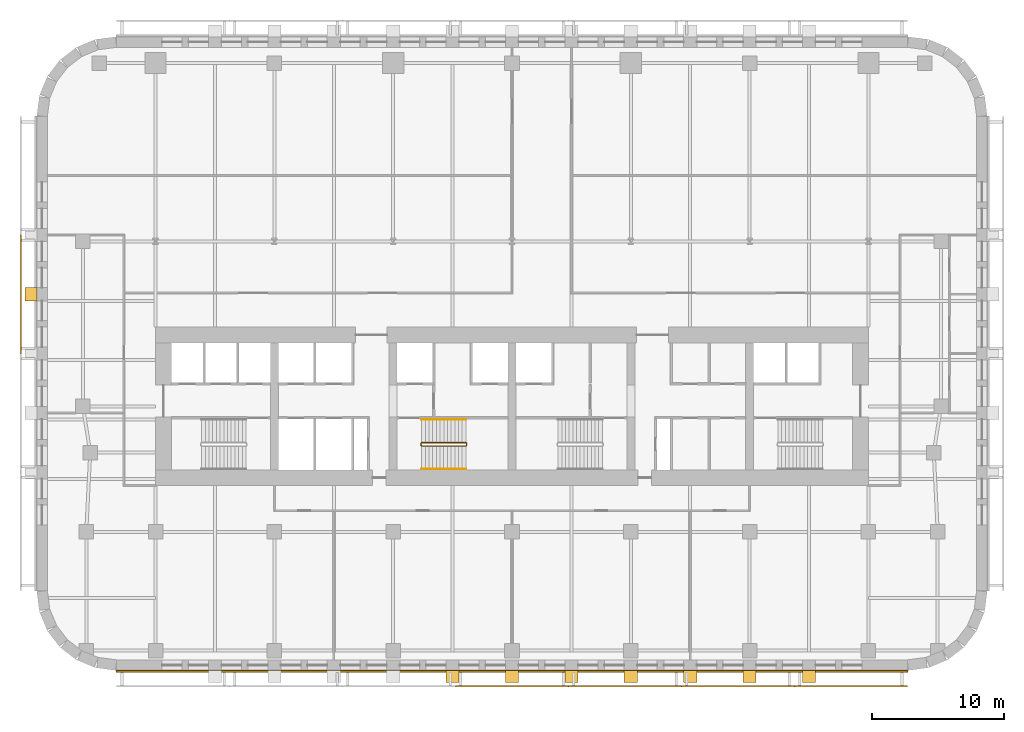
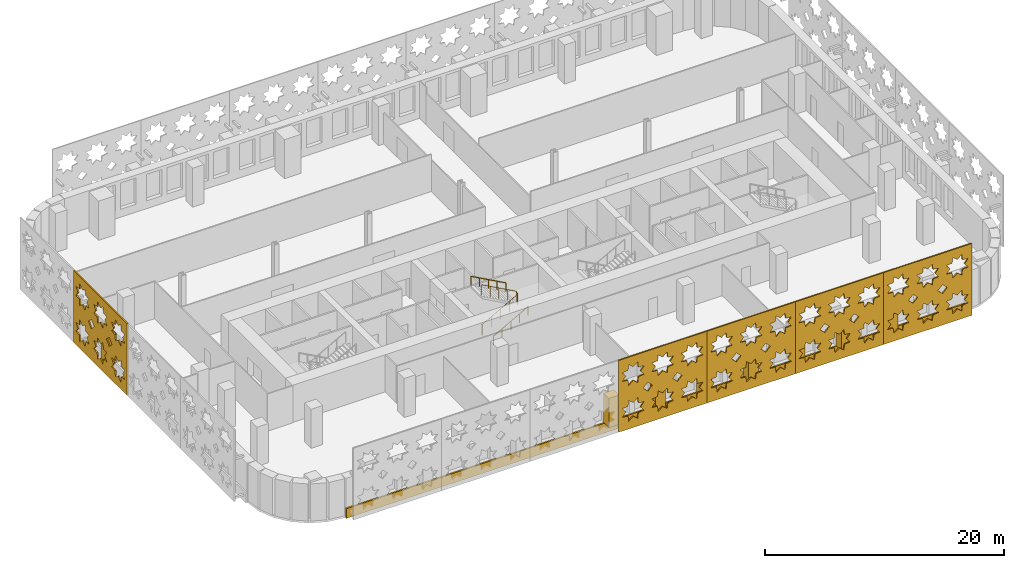
# One storey, part 12 of 15: 14 coverings, 3 railings.
"""IFC4 building model written with IfcOpenShell, lengths in metres."""

from ifc_helpers import new_model, si_unit, direction, frame, origin, origin_2d, place, context, subcontext, project, spatial, polyline, circle, outline, extrude, material, layer, layer_set, type_object, element, save


model = new_model("IFC4")

# Units and contexts
model_context = context("Model", 3, precision=1e-05, world=origin(), true_north=direction((0.0, 1.0)))
body_context = subcontext(model_context, "Body", "Model", "MODEL_VIEW")
ifc_project = project(units=[si_unit("LENGTHUNIT", "METRE"), si_unit("AREAUNIT", "SQUARE_METRE"), si_unit("VOLUMEUNIT", "CUBIC_METRE"), si_unit("PLANEANGLEUNIT", "RADIAN"), si_unit("MASSUNIT", "GRAM", prefix="KILO")], contexts=[model_context])

# Site, building, storey
site_placement = place(None, origin())
site = spatial("IfcSite", under=ifc_project, at=site_placement, CompositionType="ELEMENT")
building_placement = place(site_placement, origin())
building = spatial("IfcBuilding", under=site, at=building_placement, Name="Zellij Exchange Tower", CompositionType="ELEMENT")
storey_placement = place(building_placement, frame((0.0, 0.0, 84.5)))
storey = spatial("IfcBuildingStorey", under=building, at=storey_placement, Name="L17", CompositionType="ELEMENT", Elevation=84.5)

# Railings
ifc_material_1 = material(Name="Stainless steel", Category="steel")
railing_type_1 = type_object("IfcRailingType", Name="CORE-RG stair guard", PredefinedType="GUARDRAIL", material=ifc_material_1)
railing_1_placement = place(storey_placement, frame((-6.89990234375, -10.949951171875, 0.0)))
element("IfcRailing", 1, at=railing_1_placement, inside=storey, type_object=railing_type_1, Name="ST2 stair guard L17", PredefinedType="GUARDRAIL", context=body_context, shape_type="SweptSolid", body=[
    extrude(circle(Radius=0.02392578125, at=origin_2d()), frame((0.0, 0.0, 1.076171875), z_axis=(0.0, 1.0, 0.0), x_axis=(-1.0, 0.0, 0.0)), (0.0, 0.0, 1.0), 0.14990234375),
    extrude(circle(Radius=0.02392578125, at=origin_2d()), frame((0.0, 0.14990234375, 1.076171875), z_axis=(0.193691321961, -0.777613689637, 0.598164376644), x_axis=(0.970351222016, 0.241699205484, 0.0)), (0.0, 0.0, 1.0), 0.257080078125),
    extrude(circle(Radius=0.02392578125, at=origin_2d()), frame((0.0498046875, -0.050048828125, 1.22998046875), z_axis=(0.876421534553, 0.0, 0.481544695509), x_axis=(0.0, 1.0, 0.0)), (0.0, 0.0, 1.0), 3.833984375),
    extrude(circle(Radius=0.02392578125, at=origin_2d()), frame((3.409912109375, -0.050048828125, 3.076171875), z_axis=(0.707106781187, 0.707106781187, 0.0), x_axis=(-0.707106781187, 0.707106781187, 0.0)), (0.0, 0.0, 1.0), 0.07080078125),
    extrude(circle(Radius=0.02392578125, at=origin_2d()), frame((3.4599609375, 0.0, 3.076171875), z_axis=(0.0, 1.0, 0.0), x_axis=(-1.0, 0.0, 0.0)), (0.0, 0.0, 1.0), 0.14990234375),
    extrude(circle(Radius=0.02392578125, at=origin_2d()), frame((3.4599609375, 0.14990234375, 3.076171875), z_axis=(-0.295599637079, 0.295599637079, 0.908428152975), x_axis=(-0.707106781187, -0.707106781187, 0.0)), (0.0, 0.0, 1.0), 0.16943359375),
    extrude(circle(Radius=0.02392578125, at=origin_2d()), frame((3.409912109375, 0.199951171875, 3.22998046875), z_axis=(-0.876421534553, 0.0, 0.481544695509), x_axis=(0.0, -1.0, 0.0)), (0.0, 0.0, 1.0), 3.833984375),
    extrude(circle(Radius=0.02099609375, at=origin_2d()), origin(), (0.0, 0.0, 1.0), 1.052001953125),
    extrude(circle(Radius=0.02099609375, at=origin_2d()), frame((0.0, 0.14990234375, 0.0)), (0.0, 0.0, 1.0), 1.052001953125),
    extrude(circle(Radius=0.02099609375, at=origin_2d()), frame((0.0498046875, -0.050048828125, 0.15380859375)), (0.0, 0.0, 1.0), 1.052001953125),
    extrude(circle(Radius=0.02099609375, at=origin_2d()), frame((0.889892578125, -0.050048828125, 0.615234375)), (0.0, 0.0, 1.0), 1.052001953125),
    extrude(circle(Radius=0.02099609375, at=origin_2d()), frame((1.72998046875, -0.050048828125, 1.076904296875)), (0.0, 0.0, 1.0), 1.052001953125),
    extrude(circle(Radius=0.02099609375, at=origin_2d()), frame((2.56982421875, -0.050048828125, 1.53857421875)), (0.0, 0.0, 1.0), 1.052001953125),
    extrude(circle(Radius=0.02099609375, at=origin_2d()), frame((3.409912109375, -0.050048828125, 2.0)), (0.0, 0.0, 1.0), 1.052001953125),
    extrude(circle(Radius=0.02099609375, at=origin_2d()), frame((3.4599609375, 0.0, 2.0)), (0.0, 0.0, 1.0), 1.052001953125),
    extrude(circle(Radius=0.02099609375, at=origin_2d()), frame((3.4599609375, 0.14990234375, 2.0)), (0.0, 0.0, 1.0), 1.052001953125),
    extrude(circle(Radius=0.02099609375, at=origin_2d()), frame((3.409912109375, 0.199951171875, 2.15380859375)), (0.0, 0.0, 1.0), 1.052001953125),
    extrude(circle(Radius=0.02099609375, at=origin_2d()), frame((2.56982421875, 0.199951171875, 2.615234375)), (0.0, 0.0, 1.0), 1.052001953125),
    extrude(circle(Radius=0.02099609375, at=origin_2d()), frame((1.72998046875, 0.199951171875, 3.076904296875)), (0.0, 0.0, 1.0), 1.052001953125),
    extrude(circle(Radius=0.02099609375, at=origin_2d()), frame((0.889892578125, 0.199951171875, 3.53857421875)), (0.0, 0.0, 1.0), 1.052001953125),
    extrude(circle(Radius=0.02099609375, at=origin_2d()), frame((0.0498046875, 0.199951171875, 4.0)), (0.0, 0.0, 1.0), 1.052001953125),
])
railing_type_2 = type_object("IfcRailingType", Name="CORE-RH stair handrail", PredefinedType="HANDRAIL", material=ifc_material_1)
railing_2_placement = place(storey_placement, frame((-6.85009765625, -12.75, 0.15380859375)))
element("IfcRailing", 2, at=railing_2_placement, inside=storey, type_object=railing_type_2, Name="ST2 stair handrail L17", PredefinedType="HANDRAIL", context=body_context, shape_type="SweptSolid", body=[
    extrude(circle(Radius=0.02392578125, at=origin_2d()), frame((0.0, 0.0, 0.8759765625), z_axis=(0.876421534553, 0.0, 0.481544695509), x_axis=(0.0, 1.0, 0.0)), (0.0, 0.0, 1.0), 3.833984375),
    extrude(circle(Radius=0.02099609375, at=origin_2d()), origin(), (0.0, 0.0, 1.0), 0.851806640625),
    extrude(circle(Radius=0.02099609375, at=origin_2d()), frame((0.840087890625, 0.0, 0.46142578125)), (0.0, 0.0, 1.0), 0.851806640625),
    extrude(circle(Radius=0.02099609375, at=origin_2d()), frame((1.68017578125, 0.0, 0.923095703125)), (0.0, 0.0, 1.0), 0.851806640625),
    extrude(circle(Radius=0.02099609375, at=origin_2d()), frame((2.52001953125, 0.0, 1.384765625)), (0.0, 0.0, 1.0), 0.851806640625),
    extrude(circle(Radius=0.02099609375, at=origin_2d()), frame((3.360107421875, 0.0, 1.84619140625)), (0.0, 0.0, 1.0), 0.851806640625),
])
railing_3_placement = place(storey_placement, frame((-3.489990234375, -9.0, 2.15380859375)))
element("IfcRailing", 3, at=railing_3_placement, inside=storey, type_object=railing_type_2, Name="ST2 stair handrail L17", PredefinedType="HANDRAIL", context=body_context, shape_type="SweptSolid", body=[
    extrude(circle(Radius=0.02392578125, at=origin_2d()), frame((0.0, 0.0, 0.8759765625), z_axis=(-0.876421534553, 0.0, 0.481544695509), x_axis=(0.0, -1.0, 0.0)), (0.0, 0.0, 1.0), 3.833984375),
    extrude(circle(Radius=0.02099609375, at=origin_2d()), origin(), (0.0, 0.0, 1.0), 0.851806640625),
    extrude(circle(Radius=0.02099609375, at=origin_2d()), frame((-0.840087890625, 0.0, 0.46142578125)), (0.0, 0.0, 1.0), 0.851806640625),
    extrude(circle(Radius=0.02099609375, at=origin_2d()), frame((-1.68017578125, 0.0, 0.923095703125)), (0.0, 0.0, 1.0), 0.851806640625),
    extrude(circle(Radius=0.02099609375, at=origin_2d()), frame((-2.52001953125, 0.0, 1.384765625)), (0.0, 0.0, 1.0), 0.851806640625),
    extrude(circle(Radius=0.02099609375, at=origin_2d()), frame((-3.360107421875, 0.0, 1.84619140625)), (0.0, 0.0, 1.0), 0.851806640625),
])

# Coverings
ifc_material_2 = material(Name="Limestone cladding", Category="masonry")
ifc_layer_1 = layer(ifc_material_2, 0.14990234375)
ifc_layer_set_1 = layer_set([ifc_layer_1], Name="Limestone cladding")
covering_type_1 = type_object("IfcCoveringType", Name="ENV-CV1 Stone spandrel band 150", PredefinedType="CLADDING", material=ifc_layer_set_1)
covering_1_placement = place(storey_placement, frame((0.0, 0.0, -0.199951171875)))
element("IfcCovering", 4, at=covering_1_placement, inside=storey, type_object=covering_type_1, Name="Stone spandrel band", PredefinedType="CLADDING", context=body_context, shape_type="SweptSolid", body=[
    extrude(outline(polyline([(-29.973876953125, -28.0), (29.973876953125, -28.0), (29.983642578125, -28.14990234375), (-29.983642578125, -28.14990234375), (-29.973876953125, -28.0)])), origin(), (0.0, 0.0, 1.0), 1.0),
])
covering_type_2 = type_object("IfcCoveringType", Name="ENV-CV2 Stone pier 1000x900", PredefinedType="CLADDING", material=ifc_material_2)
covering_2_placement = place(storey_placement, frame((0.0, 0.0, 0.800048828125)))
element("IfcCovering", 5, at=covering_2_placement, inside=storey, type_object=covering_type_2, Name="Stone pier", PredefinedType="CLADDING", context=body_context, shape_type="SweptSolid", body=[
    extrude(outline(polyline([(-5.0, -28.0), (-4.0, -28.0), (-4.0, -28.89990234375), (-5.0, -28.89990234375), (-5.0, -28.0)])), origin(), (0.0, 0.0, 1.0), 3.0),
])
covering_3_placement = place(storey_placement, frame((0.0, 0.0, 0.800048828125)))
element("IfcCovering", 6, at=covering_3_placement, inside=storey, type_object=covering_type_2, Name="Stone pier", PredefinedType="CLADDING", context=body_context, shape_type="SweptSolid", body=[
    extrude(outline(polyline([(-0.5, -28.0), (0.5, -28.0), (0.5, -28.89990234375), (-0.5, -28.89990234375), (-0.5, -28.0)])), origin(), (0.0, 0.0, 1.0), 3.0),
])
covering_4_placement = place(storey_placement, frame((0.0, 0.0, 0.800048828125)))
element("IfcCovering", 7, at=covering_4_placement, inside=storey, type_object=covering_type_2, Name="Stone pier", PredefinedType="CLADDING", context=body_context, shape_type="SweptSolid", body=[
    extrude(outline(polyline([(4.0, -28.0), (5.0, -28.0), (5.0, -28.89990234375), (4.0, -28.89990234375), (4.0, -28.0)])), origin(), (0.0, 0.0, 1.0), 3.0),
])
covering_5_placement = place(storey_placement, frame((0.0, 0.0, 0.800048828125)))
element("IfcCovering", 8, at=covering_5_placement, inside=storey, type_object=covering_type_2, Name="Stone pier", PredefinedType="CLADDING", context=body_context, shape_type="SweptSolid", body=[
    extrude(outline(polyline([(8.5, -28.0), (9.5, -28.0), (9.5, -28.89990234375), (8.5, -28.89990234375), (8.5, -28.0)])), origin(), (0.0, 0.0, 1.0), 3.0),
])
covering_6_placement = place(storey_placement, frame((0.0, 0.0, 0.800048828125)))
element("IfcCovering", 9, at=covering_6_placement, inside=storey, type_object=covering_type_2, Name="Stone pier", PredefinedType="CLADDING", context=body_context, shape_type="SweptSolid", body=[
    extrude(outline(polyline([(13.0, -28.0), (14.0, -28.0), (14.0, -28.89990234375), (13.0, -28.89990234375), (13.0, -28.0)])), origin(), (0.0, 0.0, 1.0), 3.0),
])
covering_7_placement = place(storey_placement, frame((0.0, 0.0, 0.800048828125)))
element("IfcCovering", 10, at=covering_7_placement, inside=storey, type_object=covering_type_2, Name="Stone pier", PredefinedType="CLADDING", context=body_context, shape_type="SweptSolid", body=[
    extrude(outline(polyline([(17.5, -28.0), (18.5, -28.0), (18.5, -28.89990234375), (17.5, -28.89990234375), (17.5, -28.0)])), origin(), (0.0, 0.0, 1.0), 3.0),
])
covering_8_placement = place(storey_placement, frame((0.0, 0.0, 0.800048828125)))
element("IfcCovering", 11, at=covering_8_placement, inside=storey, type_object=covering_type_2, Name="Stone pier", PredefinedType="CLADDING", context=body_context, shape_type="SweptSolid", body=[
    extrude(outline(polyline([(22.0, -28.0), (23.0, -28.0), (23.0, -28.89990234375), (22.0, -28.89990234375), (22.0, -28.0)])), origin(), (0.0, 0.0, 1.0), 3.0),
])
covering_9_placement = place(storey_placement, frame((0.0, 0.0, 0.800048828125)))
element("IfcCovering", 12, at=covering_9_placement, inside=storey, type_object=covering_type_2, Name="Stone pier", PredefinedType="CLADDING", context=body_context, shape_type="SweptSolid", body=[
    extrude(outline(polyline([(-36.0, 0.993408203125), (-36.0, -0.006591796875), (-36.89990234375, -0.006591796875), (-36.89990234375, 0.993408203125), (-36.0, 0.993408203125)])), origin(), (0.0, 0.0, 1.0), 3.0),
])
ifc_material_3 = material(Name="Limestone screen", Category="masonry")
ifc_layer_2 = layer(ifc_material_3, 0.1201171875)
ifc_layer_set_2 = layer_set([ifc_layer_2], Name="Limestone screen")
covering_type_3 = type_object("IfcCoveringType", Name="ENV-SC1 Pierced stone screen 120", PredefinedType="USERDEFINED", material=ifc_layer_set_2)
covering_10_placement = place(storey_placement, frame((-37.2099609375, 4.973876953125, 0.300048828125), z_axis=(0.0, 0.0, 1.0), x_axis=(0.0, -1.0, 0.0)))
element("IfcCovering", 13, at=covering_10_placement, inside=storey, type_object=covering_type_3, Name="Pierced stone screen", ObjectType="SCREEN", PredefinedType="USERDEFINED", context=body_context, shape_type="SweptSolid", body=[
    extrude(outline(polyline([(0.0, 0.0), (8.973876953125, 0.0), (8.973876953125, 7.35009765625), (0.0, 7.35009765625), (0.0, 0.0)]), holes=[polyline([(2.60107421875, 2.29541015625), (2.020263671875, 2.362060546875), (1.95361328125, 2.94287109375), (1.49560546875, 2.579345703125), (1.03759765625, 2.94287109375), (0.97119140625, 2.362060546875), (0.39013671875, 2.29541015625), (0.75390625, 1.83740234375), (0.39013671875, 1.379638671875), (0.97119140625, 1.31298828125), (1.03759765625, 0.732177734375), (1.49560546875, 1.095703125), (1.95361328125, 0.732177734375), (2.020263671875, 1.31298828125), (2.60107421875, 1.379638671875), (2.237548828125, 1.83740234375), (2.60107421875, 2.29541015625)]), polyline([(2.60107421875, 5.970458984375), (2.020263671875, 6.037109375), (1.95361328125, 6.617919921875), (1.49560546875, 6.25439453125), (1.03759765625, 6.617919921875), (0.97119140625, 6.037109375), (0.39013671875, 5.970458984375), (0.75390625, 5.512451171875), (0.39013671875, 5.0546875), (0.97119140625, 4.98779296875), (1.03759765625, 4.406982421875), (1.49560546875, 4.770751953125), (1.95361328125, 4.406982421875), (2.020263671875, 4.98779296875), (2.60107421875, 5.0546875), (2.237548828125, 5.512451171875), (2.60107421875, 5.970458984375)]), polyline([(5.59228515625, 2.29541015625), (5.011474609375, 2.362060546875), (4.94482421875, 2.94287109375), (4.48681640625, 2.579345703125), (4.029052734375, 2.94287109375), (3.96240234375, 2.362060546875), (3.381591796875, 2.29541015625), (3.7451171875, 1.83740234375), (3.381591796875, 1.379638671875), (3.96240234375, 1.31298828125), (4.029052734375, 0.732177734375), (4.48681640625, 1.095703125), (4.94482421875, 0.732177734375), (5.011474609375, 1.31298828125), (5.59228515625, 1.379638671875), (5.228759765625, 1.83740234375), (5.59228515625, 2.29541015625)]), polyline([(5.59228515625, 5.970458984375), (5.011474609375, 6.037109375), (4.94482421875, 6.617919921875), (4.48681640625, 6.25439453125), (4.029052734375, 6.617919921875), (3.96240234375, 6.037109375), (3.381591796875, 5.970458984375), (3.7451171875, 5.512451171875), (3.381591796875, 5.0546875), (3.96240234375, 4.98779296875), (4.029052734375, 4.406982421875), (4.48681640625, 4.770751953125), (4.94482421875, 4.406982421875), (5.011474609375, 4.98779296875), (5.59228515625, 5.0546875), (5.228759765625, 5.512451171875), (5.59228515625, 5.970458984375)]), polyline([(8.58349609375, 2.29541015625), (8.002685546875, 2.362060546875), (7.93603515625, 2.94287109375), (7.478271484375, 2.579345703125), (7.020263671875, 2.94287109375), (6.95361328125, 2.362060546875), (6.372802734375, 2.29541015625), (6.736328125, 1.83740234375), (6.372802734375, 1.379638671875), (6.95361328125, 1.31298828125), (7.020263671875, 0.732177734375), (7.478271484375, 1.095703125), (7.93603515625, 0.732177734375), (8.002685546875, 1.31298828125), (8.58349609375, 1.379638671875), (8.219970703125, 1.83740234375), (8.58349609375, 2.29541015625)]), polyline([(8.58349609375, 5.970458984375), (8.002685546875, 6.037109375), (7.93603515625, 6.617919921875), (7.478271484375, 6.25439453125), (7.020263671875, 6.617919921875), (6.95361328125, 6.037109375), (6.372802734375, 5.970458984375), (6.736328125, 5.512451171875), (6.372802734375, 5.0546875), (6.95361328125, 4.98779296875), (7.020263671875, 4.406982421875), (7.478271484375, 4.770751953125), (7.93603515625, 4.406982421875), (8.002685546875, 4.98779296875), (8.58349609375, 5.0546875), (8.219970703125, 5.512451171875), (8.58349609375, 5.970458984375)]), polyline([(3.469970703125, 3.675048828125), (2.9912109375, 4.153564453125), (2.5126953125, 3.675048828125), (2.9912109375, 3.1962890625), (3.469970703125, 3.675048828125)]), polyline([(6.461181640625, 3.675048828125), (5.982421875, 4.153564453125), (5.50390625, 3.675048828125), (5.982421875, 3.1962890625), (6.461181640625, 3.675048828125)])]), frame((0.0, 0.06005859375, 0.0), z_axis=(0.0, -1.0, 0.0), x_axis=(1.0, 0.0, 0.0)), (0.0, 0.0, 1.0), 0.1201171875),
])
covering_11_placement = place(storey_placement, frame((-4.2783203125, -29.2099609375, 0.300048828125), z_axis=(0.0, 0.0, 1.0), x_axis=(1.0, 0.0, 0.0)))
element("IfcCovering", 14, at=covering_11_placement, inside=storey, type_object=covering_type_3, Name="Pierced stone screen", ObjectType="SCREEN", PredefinedType="USERDEFINED", context=body_context, shape_type="SweptSolid", body=[
    extrude(outline(polyline([(0.0, 0.0), (8.556396484375, 0.0), (8.556396484375, 7.35009765625), (0.0, 7.35009765625), (0.0, 0.0)]), holes=[polyline([(2.47998046875, 2.274169921875), (1.92626953125, 2.337646484375), (1.86279296875, 2.8916015625), (1.426025390625, 2.544921875), (0.989501953125, 2.8916015625), (0.92578125, 2.337646484375), (0.3720703125, 2.274169921875), (0.71875, 1.83740234375), (0.3720703125, 1.40087890625), (0.92578125, 1.33740234375), (0.989501953125, 0.783447265625), (1.426025390625, 1.130126953125), (1.86279296875, 0.783447265625), (1.92626953125, 1.33740234375), (2.47998046875, 1.40087890625), (2.13330078125, 1.83740234375), (2.47998046875, 2.274169921875)]), polyline([(2.47998046875, 5.94921875), (1.92626953125, 6.0126953125), (1.86279296875, 6.56640625), (1.426025390625, 6.2197265625), (0.989501953125, 6.56640625), (0.92578125, 6.0126953125), (0.3720703125, 5.94921875), (0.71875, 5.512451171875), (0.3720703125, 5.075927734375), (0.92578125, 5.01220703125), (0.989501953125, 4.45849609375), (1.426025390625, 4.80517578125), (1.86279296875, 4.45849609375), (1.92626953125, 5.01220703125), (2.47998046875, 5.075927734375), (2.13330078125, 5.512451171875), (2.47998046875, 5.94921875)]), polyline([(5.332275390625, 2.274169921875), (4.7783203125, 2.337646484375), (4.71484375, 2.8916015625), (4.2783203125, 2.544921875), (3.841552734375, 2.8916015625), (3.778076171875, 2.337646484375), (3.22412109375, 2.274169921875), (3.57080078125, 1.83740234375), (3.22412109375, 1.40087890625), (3.778076171875, 1.33740234375), (3.841552734375, 0.783447265625), (4.2783203125, 1.130126953125), (4.71484375, 0.783447265625), (4.7783203125, 1.33740234375), (5.332275390625, 1.40087890625), (4.985595703125, 1.83740234375), (5.332275390625, 2.274169921875)]), polyline([(5.332275390625, 5.94921875), (4.7783203125, 6.0126953125), (4.71484375, 6.56640625), (4.2783203125, 6.2197265625), (3.841552734375, 6.56640625), (3.778076171875, 6.0126953125), (3.22412109375, 5.94921875), (3.57080078125, 5.512451171875), (3.22412109375, 5.075927734375), (3.778076171875, 5.01220703125), (3.841552734375, 4.45849609375), (4.2783203125, 4.80517578125), (4.71484375, 4.45849609375), (4.7783203125, 5.01220703125), (5.332275390625, 5.075927734375), (4.985595703125, 5.512451171875), (5.332275390625, 5.94921875)]), polyline([(8.184326171875, 2.274169921875), (7.630615234375, 2.337646484375), (7.56689453125, 2.8916015625), (7.13037109375, 2.544921875), (6.69384765625, 2.8916015625), (6.630126953125, 2.337646484375), (6.076416015625, 2.274169921875), (6.423095703125, 1.83740234375), (6.076416015625, 1.40087890625), (6.630126953125, 1.33740234375), (6.69384765625, 0.783447265625), (7.13037109375, 1.130126953125), (7.56689453125, 0.783447265625), (7.630615234375, 1.33740234375), (8.184326171875, 1.40087890625), (7.837646484375, 1.83740234375), (8.184326171875, 2.274169921875)]), polyline([(8.184326171875, 5.94921875), (7.630615234375, 6.0126953125), (7.56689453125, 6.56640625), (7.13037109375, 6.2197265625), (6.69384765625, 6.56640625), (6.630126953125, 6.0126953125), (6.076416015625, 5.94921875), (6.423095703125, 5.512451171875), (6.076416015625, 5.075927734375), (6.630126953125, 5.01220703125), (6.69384765625, 4.45849609375), (7.13037109375, 4.80517578125), (7.56689453125, 4.45849609375), (7.630615234375, 5.01220703125), (8.184326171875, 5.075927734375), (7.837646484375, 5.512451171875), (8.184326171875, 5.94921875)]), polyline([(3.30859375, 3.675048828125), (2.852294921875, 4.13134765625), (2.395751953125, 3.675048828125), (2.852294921875, 3.21875), (3.30859375, 3.675048828125)]), polyline([(6.16064453125, 3.675048828125), (5.704345703125, 4.13134765625), (5.248046875, 3.675048828125), (5.704345703125, 3.21875), (6.16064453125, 3.675048828125)])]), frame((0.0, 0.06005859375, 0.0), z_axis=(0.0, -1.0, 0.0), x_axis=(1.0, 0.0, 0.0)), (0.0, 0.0, 1.0), 0.1201171875),
])
covering_12_placement = place(storey_placement, frame((4.2783203125, -29.2099609375, 0.300048828125), z_axis=(0.0, 0.0, 1.0), x_axis=(1.0, 0.0, 0.0)))
element("IfcCovering", 15, at=covering_12_placement, inside=storey, type_object=covering_type_3, Name="Pierced stone screen", ObjectType="SCREEN", PredefinedType="USERDEFINED", context=body_context, shape_type="SweptSolid", body=[
    extrude(outline(polyline([(0.0, 0.0), (8.556396484375, 0.0), (8.556396484375, 7.35009765625), (0.0, 7.35009765625), (0.0, 0.0)]), holes=[polyline([(2.47998046875, 2.274169921875), (1.92626953125, 2.337646484375), (1.86279296875, 2.8916015625), (1.426025390625, 2.544921875), (0.989501953125, 2.8916015625), (0.92578125, 2.337646484375), (0.3720703125, 2.274169921875), (0.71875, 1.83740234375), (0.3720703125, 1.40087890625), (0.92578125, 1.33740234375), (0.989501953125, 0.783447265625), (1.426025390625, 1.130126953125), (1.86279296875, 0.783447265625), (1.92626953125, 1.33740234375), (2.47998046875, 1.40087890625), (2.13330078125, 1.83740234375), (2.47998046875, 2.274169921875)]), polyline([(2.47998046875, 5.94921875), (1.92626953125, 6.0126953125), (1.86279296875, 6.56640625), (1.426025390625, 6.2197265625), (0.989501953125, 6.56640625), (0.92578125, 6.0126953125), (0.3720703125, 5.94921875), (0.71875, 5.512451171875), (0.3720703125, 5.075927734375), (0.92578125, 5.01220703125), (0.989501953125, 4.45849609375), (1.426025390625, 4.80517578125), (1.86279296875, 4.45849609375), (1.92626953125, 5.01220703125), (2.47998046875, 5.075927734375), (2.13330078125, 5.512451171875), (2.47998046875, 5.94921875)]), polyline([(5.332275390625, 2.274169921875), (4.7783203125, 2.337646484375), (4.71484375, 2.8916015625), (4.2783203125, 2.544921875), (3.841552734375, 2.8916015625), (3.778076171875, 2.337646484375), (3.22412109375, 2.274169921875), (3.57080078125, 1.83740234375), (3.22412109375, 1.40087890625), (3.778076171875, 1.33740234375), (3.841552734375, 0.783447265625), (4.2783203125, 1.130126953125), (4.71484375, 0.783447265625), (4.7783203125, 1.33740234375), (5.332275390625, 1.40087890625), (4.985595703125, 1.83740234375), (5.332275390625, 2.274169921875)]), polyline([(5.332275390625, 5.94921875), (4.7783203125, 6.0126953125), (4.71484375, 6.56640625), (4.2783203125, 6.2197265625), (3.841552734375, 6.56640625), (3.778076171875, 6.0126953125), (3.22412109375, 5.94921875), (3.57080078125, 5.512451171875), (3.22412109375, 5.075927734375), (3.778076171875, 5.01220703125), (3.841552734375, 4.45849609375), (4.2783203125, 4.80517578125), (4.71484375, 4.45849609375), (4.7783203125, 5.01220703125), (5.332275390625, 5.075927734375), (4.985595703125, 5.512451171875), (5.332275390625, 5.94921875)]), polyline([(8.184326171875, 2.274169921875), (7.630615234375, 2.337646484375), (7.56689453125, 2.8916015625), (7.13037109375, 2.544921875), (6.69384765625, 2.8916015625), (6.630126953125, 2.337646484375), (6.076416015625, 2.274169921875), (6.423095703125, 1.83740234375), (6.076416015625, 1.40087890625), (6.630126953125, 1.33740234375), (6.69384765625, 0.783447265625), (7.13037109375, 1.130126953125), (7.56689453125, 0.783447265625), (7.630615234375, 1.33740234375), (8.184326171875, 1.40087890625), (7.837646484375, 1.83740234375), (8.184326171875, 2.274169921875)]), polyline([(8.184326171875, 5.94921875), (7.630615234375, 6.0126953125), (7.56689453125, 6.56640625), (7.13037109375, 6.2197265625), (6.69384765625, 6.56640625), (6.630126953125, 6.0126953125), (6.076416015625, 5.94921875), (6.423095703125, 5.512451171875), (6.076416015625, 5.075927734375), (6.630126953125, 5.01220703125), (6.69384765625, 4.45849609375), (7.13037109375, 4.80517578125), (7.56689453125, 4.45849609375), (7.630615234375, 5.01220703125), (8.184326171875, 5.075927734375), (7.837646484375, 5.512451171875), (8.184326171875, 5.94921875)]), polyline([(3.30859375, 3.675048828125), (2.852294921875, 4.13134765625), (2.395751953125, 3.675048828125), (2.852294921875, 3.21875), (3.30859375, 3.675048828125)]), polyline([(6.16064453125, 3.675048828125), (5.704345703125, 4.13134765625), (5.248046875, 3.675048828125), (5.704345703125, 3.21875), (6.16064453125, 3.675048828125)])]), frame((0.0, 0.06005859375, 0.0), z_axis=(0.0, -1.0, 0.0), x_axis=(1.0, 0.0, 0.0)), (0.0, 0.0, 1.0), 0.1201171875),
])
covering_13_placement = place(storey_placement, frame((12.834716796875, -29.2099609375, 0.300048828125), z_axis=(0.0, 0.0, 1.0), x_axis=(1.0, 0.0, 0.0)))
element("IfcCovering", 16, at=covering_13_placement, inside=storey, type_object=covering_type_3, Name="Pierced stone screen", ObjectType="SCREEN", PredefinedType="USERDEFINED", context=body_context, shape_type="SweptSolid", body=[
    extrude(outline(polyline([(0.0, 0.0), (8.556396484375, 0.0), (8.556396484375, 7.35009765625), (0.0, 7.35009765625), (0.0, 0.0)]), holes=[polyline([(2.47998046875, 2.274169921875), (1.92626953125, 2.337646484375), (1.86279296875, 2.8916015625), (1.426025390625, 2.544921875), (0.989501953125, 2.8916015625), (0.92578125, 2.337646484375), (0.3720703125, 2.274169921875), (0.71875, 1.83740234375), (0.3720703125, 1.40087890625), (0.92578125, 1.33740234375), (0.989501953125, 0.783447265625), (1.426025390625, 1.130126953125), (1.86279296875, 0.783447265625), (1.92626953125, 1.33740234375), (2.47998046875, 1.40087890625), (2.13330078125, 1.83740234375), (2.47998046875, 2.274169921875)]), polyline([(2.47998046875, 5.94921875), (1.92626953125, 6.0126953125), (1.86279296875, 6.56640625), (1.426025390625, 6.2197265625), (0.989501953125, 6.56640625), (0.92578125, 6.0126953125), (0.3720703125, 5.94921875), (0.71875, 5.512451171875), (0.3720703125, 5.075927734375), (0.92578125, 5.01220703125), (0.989501953125, 4.45849609375), (1.426025390625, 4.80517578125), (1.86279296875, 4.45849609375), (1.92626953125, 5.01220703125), (2.47998046875, 5.075927734375), (2.13330078125, 5.512451171875), (2.47998046875, 5.94921875)]), polyline([(5.332275390625, 2.274169921875), (4.7783203125, 2.337646484375), (4.71484375, 2.8916015625), (4.2783203125, 2.544921875), (3.841552734375, 2.8916015625), (3.778076171875, 2.337646484375), (3.22412109375, 2.274169921875), (3.57080078125, 1.83740234375), (3.22412109375, 1.40087890625), (3.778076171875, 1.33740234375), (3.841552734375, 0.783447265625), (4.2783203125, 1.130126953125), (4.71484375, 0.783447265625), (4.7783203125, 1.33740234375), (5.332275390625, 1.40087890625), (4.985595703125, 1.83740234375), (5.332275390625, 2.274169921875)]), polyline([(5.332275390625, 5.94921875), (4.7783203125, 6.0126953125), (4.71484375, 6.56640625), (4.2783203125, 6.2197265625), (3.841552734375, 6.56640625), (3.778076171875, 6.0126953125), (3.22412109375, 5.94921875), (3.57080078125, 5.512451171875), (3.22412109375, 5.075927734375), (3.778076171875, 5.01220703125), (3.841552734375, 4.45849609375), (4.2783203125, 4.80517578125), (4.71484375, 4.45849609375), (4.7783203125, 5.01220703125), (5.332275390625, 5.075927734375), (4.985595703125, 5.512451171875), (5.332275390625, 5.94921875)]), polyline([(8.184326171875, 2.274169921875), (7.630615234375, 2.337646484375), (7.56689453125, 2.8916015625), (7.13037109375, 2.544921875), (6.69384765625, 2.8916015625), (6.630126953125, 2.337646484375), (6.076416015625, 2.274169921875), (6.423095703125, 1.83740234375), (6.076416015625, 1.40087890625), (6.630126953125, 1.33740234375), (6.69384765625, 0.783447265625), (7.13037109375, 1.130126953125), (7.56689453125, 0.783447265625), (7.630615234375, 1.33740234375), (8.184326171875, 1.40087890625), (7.837646484375, 1.83740234375), (8.184326171875, 2.274169921875)]), polyline([(8.184326171875, 5.94921875), (7.630615234375, 6.0126953125), (7.56689453125, 6.56640625), (7.13037109375, 6.2197265625), (6.69384765625, 6.56640625), (6.630126953125, 6.0126953125), (6.076416015625, 5.94921875), (6.423095703125, 5.512451171875), (6.076416015625, 5.075927734375), (6.630126953125, 5.01220703125), (6.69384765625, 4.45849609375), (7.13037109375, 4.80517578125), (7.56689453125, 4.45849609375), (7.630615234375, 5.01220703125), (8.184326171875, 5.075927734375), (7.837646484375, 5.512451171875), (8.184326171875, 5.94921875)]), polyline([(3.30859375, 3.675048828125), (2.852294921875, 4.13134765625), (2.395751953125, 3.675048828125), (2.852294921875, 3.21875), (3.30859375, 3.675048828125)]), polyline([(6.16064453125, 3.675048828125), (5.704345703125, 4.13134765625), (5.248046875, 3.675048828125), (5.704345703125, 3.21875), (6.16064453125, 3.675048828125)])]), frame((0.0, 0.06005859375, 0.0), z_axis=(0.0, -1.0, 0.0), x_axis=(1.0, 0.0, 0.0)), (0.0, 0.0, 1.0), 0.1201171875),
])
covering_14_placement = place(storey_placement, frame((21.39111328125, -29.2099609375, 0.300048828125), z_axis=(0.0, 0.0, 1.0), x_axis=(1.0, 0.0, 0.0)))
element("IfcCovering", 17, at=covering_14_placement, inside=storey, type_object=covering_type_3, Name="Pierced stone screen", ObjectType="SCREEN", PredefinedType="USERDEFINED", context=body_context, shape_type="SweptSolid", body=[
    extrude(outline(polyline([(0.0, 0.0), (8.556396484375, 0.0), (8.556396484375, 7.35009765625), (0.0, 7.35009765625), (0.0, 0.0)]), holes=[polyline([(2.47998046875, 2.274169921875), (1.92626953125, 2.337646484375), (1.86279296875, 2.8916015625), (1.426025390625, 2.544921875), (0.989501953125, 2.8916015625), (0.92578125, 2.337646484375), (0.3720703125, 2.274169921875), (0.71875, 1.83740234375), (0.3720703125, 1.40087890625), (0.92578125, 1.33740234375), (0.989501953125, 0.783447265625), (1.426025390625, 1.130126953125), (1.86279296875, 0.783447265625), (1.92626953125, 1.33740234375), (2.47998046875, 1.40087890625), (2.13330078125, 1.83740234375), (2.47998046875, 2.274169921875)]), polyline([(2.47998046875, 5.94921875), (1.92626953125, 6.0126953125), (1.86279296875, 6.56640625), (1.426025390625, 6.2197265625), (0.989501953125, 6.56640625), (0.92578125, 6.0126953125), (0.3720703125, 5.94921875), (0.71875, 5.512451171875), (0.3720703125, 5.075927734375), (0.92578125, 5.01220703125), (0.989501953125, 4.45849609375), (1.426025390625, 4.80517578125), (1.86279296875, 4.45849609375), (1.92626953125, 5.01220703125), (2.47998046875, 5.075927734375), (2.13330078125, 5.512451171875), (2.47998046875, 5.94921875)]), polyline([(5.332275390625, 2.274169921875), (4.7783203125, 2.337646484375), (4.71484375, 2.8916015625), (4.2783203125, 2.544921875), (3.841552734375, 2.8916015625), (3.778076171875, 2.337646484375), (3.22412109375, 2.274169921875), (3.57080078125, 1.83740234375), (3.22412109375, 1.40087890625), (3.778076171875, 1.33740234375), (3.841552734375, 0.783447265625), (4.2783203125, 1.130126953125), (4.71484375, 0.783447265625), (4.7783203125, 1.33740234375), (5.332275390625, 1.40087890625), (4.985595703125, 1.83740234375), (5.332275390625, 2.274169921875)]), polyline([(5.332275390625, 5.94921875), (4.7783203125, 6.0126953125), (4.71484375, 6.56640625), (4.2783203125, 6.2197265625), (3.841552734375, 6.56640625), (3.778076171875, 6.0126953125), (3.22412109375, 5.94921875), (3.57080078125, 5.512451171875), (3.22412109375, 5.075927734375), (3.778076171875, 5.01220703125), (3.841552734375, 4.45849609375), (4.2783203125, 4.80517578125), (4.71484375, 4.45849609375), (4.7783203125, 5.01220703125), (5.332275390625, 5.075927734375), (4.985595703125, 5.512451171875), (5.332275390625, 5.94921875)]), polyline([(8.184326171875, 2.274169921875), (7.630615234375, 2.337646484375), (7.56689453125, 2.8916015625), (7.13037109375, 2.544921875), (6.69384765625, 2.8916015625), (6.630126953125, 2.337646484375), (6.076416015625, 2.274169921875), (6.423095703125, 1.83740234375), (6.076416015625, 1.40087890625), (6.630126953125, 1.33740234375), (6.69384765625, 0.783447265625), (7.13037109375, 1.130126953125), (7.56689453125, 0.783447265625), (7.630615234375, 1.33740234375), (8.184326171875, 1.40087890625), (7.837646484375, 1.83740234375), (8.184326171875, 2.274169921875)]), polyline([(8.184326171875, 5.94921875), (7.630615234375, 6.0126953125), (7.56689453125, 6.56640625), (7.13037109375, 6.2197265625), (6.69384765625, 6.56640625), (6.630126953125, 6.0126953125), (6.076416015625, 5.94921875), (6.423095703125, 5.512451171875), (6.076416015625, 5.075927734375), (6.630126953125, 5.01220703125), (6.69384765625, 4.45849609375), (7.13037109375, 4.80517578125), (7.56689453125, 4.45849609375), (7.630615234375, 5.01220703125), (8.184326171875, 5.075927734375), (7.837646484375, 5.512451171875), (8.184326171875, 5.94921875)]), polyline([(3.30859375, 3.675048828125), (2.852294921875, 4.13134765625), (2.395751953125, 3.675048828125), (2.852294921875, 3.21875), (3.30859375, 3.675048828125)]), polyline([(6.16064453125, 3.675048828125), (5.704345703125, 4.13134765625), (5.248046875, 3.675048828125), (5.704345703125, 3.21875), (6.16064453125, 3.675048828125)])]), frame((0.0, 0.06005859375, 0.0), z_axis=(0.0, -1.0, 0.0), x_axis=(1.0, 0.0, 0.0)), (0.0, 0.0, 1.0), 0.1201171875),
])

save(model, "model.ifc")
